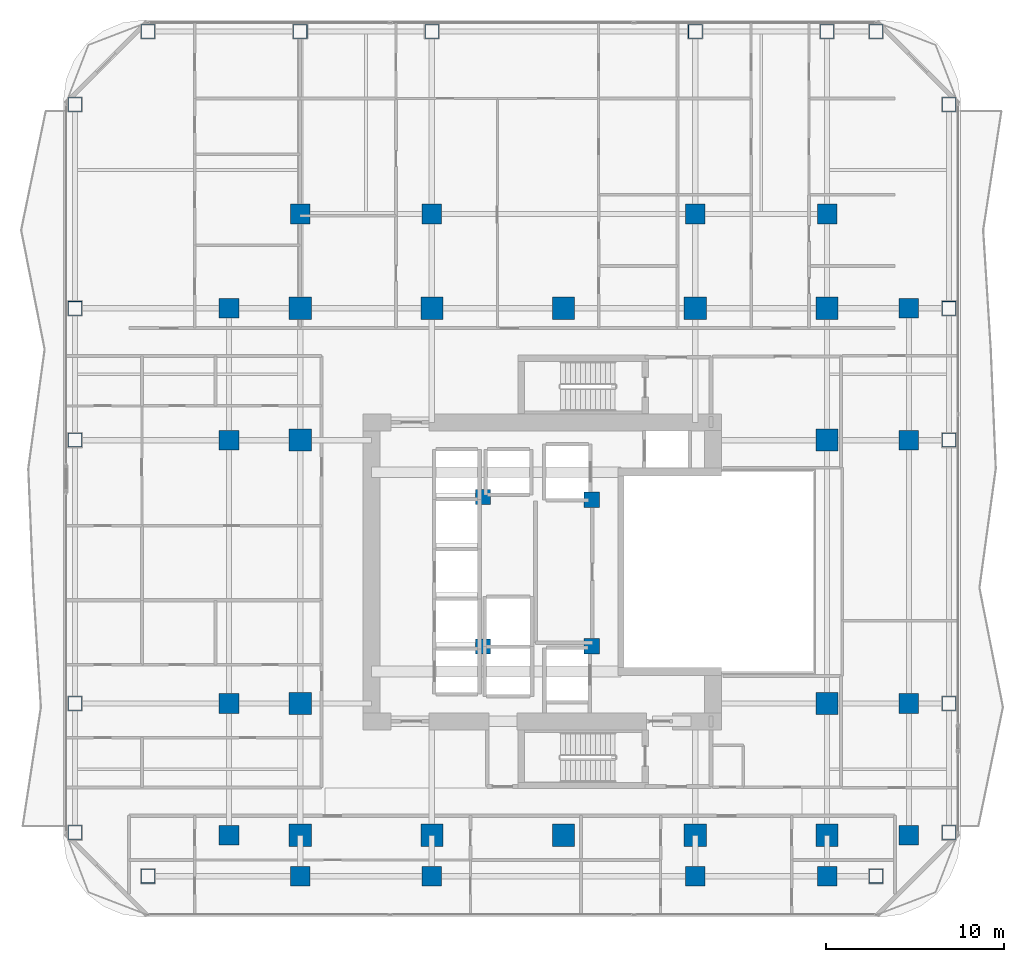
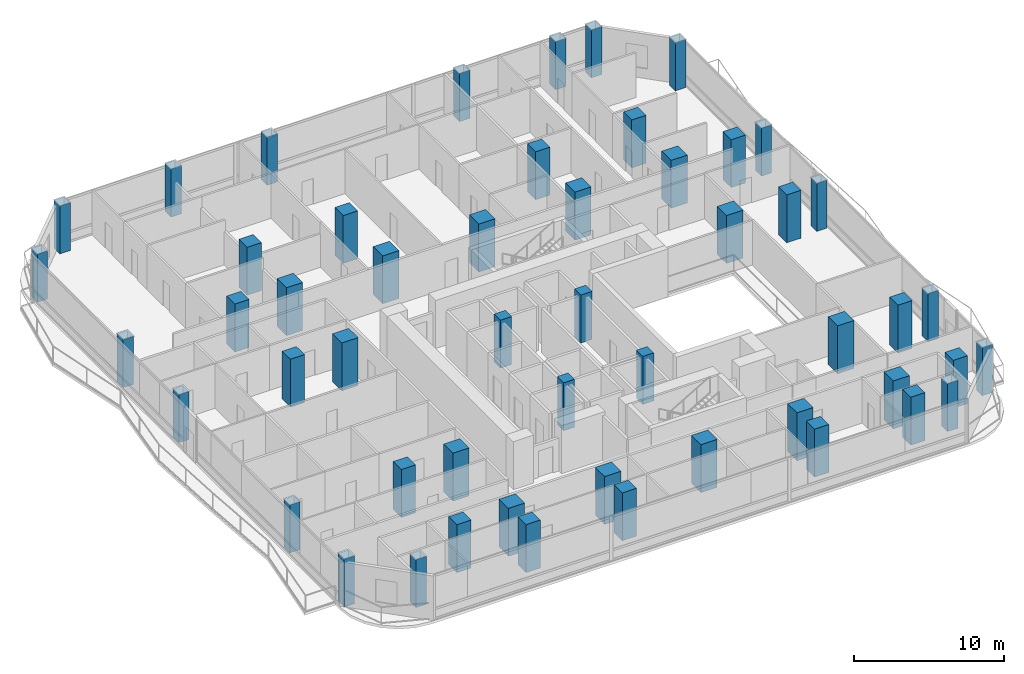
# One storey, part 1 of 28: 52 columns.
"""IFC4 building model written with IfcOpenShell, lengths in metres."""

from ifc_helpers import new_model, si_unit, direction, frame, origin, origin_2d, place, context, subcontext, project, spatial, rectangle, hollow_rectangle, extrude, material, material_profile, profile_set, type_object, element, save


model = new_model("IFC4")

# Units and contexts
model_context = context("Model", 3, precision=1e-05, world=origin(), true_north=direction((0.0, 1.0)))
body_context = subcontext(model_context, "Body", "Model", "MODEL_VIEW")
ifc_project = project(units=[si_unit("LENGTHUNIT", "METRE"), si_unit("AREAUNIT", "SQUARE_METRE"), si_unit("VOLUMEUNIT", "CUBIC_METRE"), si_unit("PLANEANGLEUNIT", "RADIAN"), si_unit("MASSUNIT", "GRAM", prefix="KILO")], contexts=[model_context])

# Site, building, storey
site_placement = place(None, origin())
site = spatial("IfcSite", under=ifc_project, at=site_placement, CompositionType="ELEMENT")
building_placement = place(site_placement, origin())
building = spatial("IfcBuilding", under=site, at=building_placement, Name="Khorvyn Point Tower", CompositionType="ELEMENT")
storey_placement = place(building_placement, frame((0.0, 0.0, 104.699951171875)))
storey = spatial("IfcBuildingStorey", under=building, at=storey_placement, Name="L26", CompositionType="ELEMENT", Elevation=104.699951171875)

# Columns
ifc_material_1 = material(Name="Concrete C40/50", Category="concrete")
ifc_material_profile_1 = material_profile(ifc_material_1, rectangle(XDim=0.85009765625, YDim=0.85009765625, at=origin_2d()))
ifc_profile_set_1 = profile_set([ifc_material_profile_1], Name="Concrete C40/50 RC850x850")
column_type_1 = type_object("IfcColumnType", Name="Concrete C40/50 Column RC850x850", PredefinedType="COLUMN", material=ifc_profile_set_1)
for number, where, z_axis, x_axis, name in (
    (1, (-4.52001953125, -4.199951171875, 0.0), (0.0, 0.0, 1.0), (1.0, 0.0, 0.0), "L26 Crown Core Spine Column 1"),
    (2, (1.580078125, -4.179931640625, 0.0), (0.0, 0.0, 1.0), (1.0, 0.0, 0.0), "L26 Crown Core Spine Column 2"),
    (3, (1.580078125, 4.050048828125, 0.0), (0.0, 0.0, 1.0), (1.0, 0.0, 0.0), "L26 Crown Core Spine Column 3"),
    (4, (-4.52001953125, 4.199951171875, 0.0), (0.0, 0.0, 1.0), (1.0, 0.0, 0.0), "L26 Crown Core Spine Column 4"),
):
    element("IfcColumn", number, at=place(storey_placement, frame(where, z_axis=z_axis, x_axis=x_axis)), inside=storey, type_object=column_type_1, Name=name, PredefinedType="COLUMN", context=body_context, shape_type="SweptSolid", body=[
        extrude(rectangle(XDim=0.85009765625, YDim=0.85009765625, at=origin_2d()), origin(), (0.0, 0.0, 1.0), 3.900146484375),
    ])
ifc_material_2 = material(Name="Concrete C45/55", Category="concrete")
ifc_material_profile_2 = material_profile(ifc_material_2, rectangle(XDim=1.10009765625, YDim=1.10009765625, at=origin_2d()))
ifc_profile_set_2 = profile_set([ifc_material_profile_2], Name="Concrete C45/55 RC1100x1100")
column_type_2 = type_object("IfcColumnType", Name="Concrete C45/55 Column RC1100x1100", PredefinedType="COLUMN", material=ifc_profile_set_2)
for number, where, z_axis, x_axis, name in (
    (5, (-18.800048828125, -14.800048828125, 0.0), (0.0, 0.0, 1.0), (1.0, 0.0, 0.0), "L26 Intermediate Column ICW--14"),
    (6, (-18.800048828125, -7.39990234375, 0.0), (0.0, 0.0, 1.0), (1.0, 0.0, 0.0), "L26 Intermediate Column ICW--7"),
    (7, (-18.800048828125, 7.39990234375, 0.0), (0.0, 0.0, 1.0), (1.0, 0.0, 0.0), "L26 Intermediate Column ICW-7"),
    (8, (-18.800048828125, 14.800048828125, 0.0), (0.0, 0.0, 1.0), (1.0, 0.0, 0.0), "L26 Intermediate Column ICW-14"),
    (9, (19.39990234375, -14.800048828125, 0.0), (0.0, 0.0, 1.0), (1.0, 0.0, 0.0), "L26 Intermediate Column ICE--14"),
    (10, (19.39990234375, -7.39990234375, 0.0), (0.0, 0.0, 1.0), (1.0, 0.0, 0.0), "L26 Intermediate Column ICE--7"),
    (11, (19.39990234375, 7.39990234375, 0.0), (0.0, 0.0, 1.0), (1.0, 0.0, 0.0), "L26 Intermediate Column ICE-7"),
    (12, (19.39990234375, 14.800048828125, 0.0), (0.0, 0.0, 1.0), (1.0, 0.0, 0.0), "L26 Intermediate Column ICE-14"),
    (13, (-14.800048828125, -17.10009765625, 0.0), (0.0, 0.0, 1.0), (1.0, 0.0, 0.0), "L26 Intermediate Column ICS--14"),
    (14, (-7.39990234375, -17.10009765625, 0.0), (0.0, 0.0, 1.0), (1.0, 0.0, 0.0), "L26 Intermediate Column ICS--7"),
    (15, (7.39990234375, -17.10009765625, 0.0), (0.0, 0.0, 1.0), (1.0, 0.0, 0.0), "L26 Intermediate Column ICS-7"),
    (16, (14.800048828125, -17.10009765625, 0.0), (0.0, 0.0, 1.0), (1.0, 0.0, 0.0), "L26 Intermediate Column ICS-14"),
    (17, (-14.800048828125, 20.10009765625, 0.0), (0.0, 0.0, 1.0), (1.0, 0.0, 0.0), "L26 Intermediate Column ICN--14"),
    (18, (-7.39990234375, 20.10009765625, 0.0), (0.0, 0.0, 1.0), (1.0, 0.0, 0.0), "L26 Intermediate Column ICN--7"),
    (19, (7.39990234375, 20.10009765625, 0.0), (0.0, 0.0, 1.0), (1.0, 0.0, 0.0), "L26 Intermediate Column ICN-7"),
    (20, (14.800048828125, 20.10009765625, 0.0), (0.0, 0.0, 1.0), (1.0, 0.0, 0.0), "L26 Intermediate Column ICN-14"),
):
    element("IfcColumn", number, at=place(storey_placement, frame(where, z_axis=z_axis, x_axis=x_axis)), inside=storey, type_object=column_type_2, Name=name, PredefinedType="COLUMN", context=body_context, shape_type="SweptSolid", body=[
        extrude(rectangle(XDim=1.10009765625, YDim=1.10009765625, at=origin_2d()), origin(), (0.0, 0.0, 1.0), 3.900146484375),
    ])
ifc_material_3 = material(Name="Concrete C50/60", Category="concrete")
ifc_material_profile_3 = material_profile(ifc_material_3, rectangle(XDim=1.25, YDim=1.25, at=origin_2d()))
ifc_profile_set_3 = profile_set([ifc_material_profile_3], Name="Concrete C50/60 RC1250x1250")
column_type_3 = type_object("IfcColumnType", Name="Concrete C50/60 Column RC1250x1250", PredefinedType="COLUMN", material=ifc_profile_set_3)
for number, where, z_axis, x_axis, name in (
    (21, (-14.800048828125, -14.800048828125, 0.0), (0.0, 0.0, 1.0), (1.0, 0.0, 0.0), "L26 Mega-Column MC-01"),
    (22, (-7.39990234375, -14.800048828125, 0.0), (0.0, 0.0, 1.0), (1.0, 0.0, 0.0), "L26 Mega-Column MC-02"),
    (23, (0.0, -14.800048828125, 0.0), (0.0, 0.0, 1.0), (1.0, 0.0, 0.0), "L26 Mega-Column MC-03"),
    (24, (7.39990234375, -14.800048828125, 0.0), (0.0, 0.0, 1.0), (1.0, 0.0, 0.0), "L26 Mega-Column MC-04"),
    (25, (14.800048828125, -14.800048828125, 0.0), (0.0, 0.0, 1.0), (1.0, 0.0, 0.0), "L26 Mega-Column MC-05"),
    (26, (-14.800048828125, 14.800048828125, 0.0), (0.0, 0.0, 1.0), (1.0, 0.0, 0.0), "L26 Mega-Column MC-06"),
    (27, (-7.39990234375, 14.800048828125, 0.0), (0.0, 0.0, 1.0), (1.0, 0.0, 0.0), "L26 Mega-Column MC-07"),
    (28, (0.0, 14.800048828125, 0.0), (0.0, 0.0, 1.0), (1.0, 0.0, 0.0), "L26 Mega-Column MC-08"),
    (29, (7.39990234375, 14.800048828125, 0.0), (0.0, 0.0, 1.0), (1.0, 0.0, 0.0), "L26 Mega-Column MC-09"),
    (30, (14.800048828125, 14.800048828125, 0.0), (0.0, 0.0, 1.0), (1.0, 0.0, 0.0), "L26 Mega-Column MC-10"),
    (31, (-14.800048828125, -7.39990234375, 0.0), (0.0, 0.0, 1.0), (1.0, 0.0, 0.0), "L26 Mega-Column MC-11"),
    (32, (-14.800048828125, 7.39990234375, 0.0), (0.0, 0.0, 1.0), (1.0, 0.0, 0.0), "L26 Mega-Column MC-12"),
    (33, (14.800048828125, -7.39990234375, 0.0), (0.0, 0.0, 1.0), (1.0, 0.0, 0.0), "L26 Mega-Column MC-13"),
    (34, (14.800048828125, 7.39990234375, 0.0), (0.0, 0.0, 1.0), (1.0, 0.0, 0.0), "L26 Mega-Column MC-14"),
):
    element("IfcColumn", number, at=place(storey_placement, frame(where, z_axis=z_axis, x_axis=x_axis)), inside=storey, type_object=column_type_3, Name=name, PredefinedType="COLUMN", context=body_context, shape_type="SweptSolid", body=[
        extrude(rectangle(XDim=1.25, YDim=1.25, at=origin_2d()), origin(), (0.0, 0.0, 1.0), 3.900146484375),
    ])
ifc_material_4 = material(Name="Steel S450", Category="steel")
ifc_material_profile_4 = material_profile(ifc_material_4, hollow_rectangle(XDim=0.800048828125, YDim=0.800048828125, WallThickness=0.035888671875, at=origin_2d()))
ifc_profile_set_4 = profile_set([ifc_material_profile_4], Name="Steel S450 BOX800x800x36")
column_type_4 = type_object("IfcColumnType", Name="Steel S450 Structural Column BOX800x800x36", PredefinedType="COLUMN", material=ifc_profile_set_4)
for number, where, z_axis, x_axis, name in (
    (35, (-23.35009765625, -17.10009765625, 0.0), (0.0, 0.0, 1.0), (1.0, 0.0, 0.0), "L26 Perimeter Tube Column TC-01"),
    (36, (17.550048828125, -17.10009765625, 0.0), (0.0, 0.0, 1.0), (1.0, 0.0, 0.0), "L26 Perimeter Tube Column TC-02"),
    (37, (-23.35009765625, 30.35009765625, 0.0), (0.0, 0.0, 1.0), (1.0, 0.0, 0.0), "L26 Perimeter Tube Column TC-03"),
    (38, (17.550048828125, 30.35009765625, 0.0), (0.0, 0.0, 1.0), (1.0, 0.0, 0.0), "L26 Perimeter Tube Column TC-04"),
    (39, (-27.449951171875, -14.64990234375, 0.0), (0.0, 0.0, 1.0), (1.0, 0.0, 0.0), "L26 Perimeter Tube Column TC-05"),
    (40, (-27.449951171875, 26.25, 0.0), (0.0, 0.0, 1.0), (1.0, 0.0, 0.0), "L26 Perimeter Tube Column TC-06"),
    (41, (21.64990234375, -14.64990234375, 0.0), (0.0, 0.0, 1.0), (1.0, 0.0, 0.0), "L26 Perimeter Tube Column TC-07"),
    (42, (21.64990234375, 26.25, 0.0), (0.0, 0.0, 1.0), (1.0, 0.0, 0.0), "L26 Perimeter Tube Column TC-08"),
    (43, (-14.800048828125, 30.35009765625, 0.0), (0.0, 0.0, 1.0), (1.0, 0.0, 0.0), "L26 Perimeter Tube Column TC-09"),
    (44, (-7.39990234375, 30.35009765625, 0.0), (0.0, 0.0, 1.0), (1.0, 0.0, 0.0), "L26 Perimeter Tube Column TC-10"),
    (45, (7.39990234375, 30.35009765625, 0.0), (0.0, 0.0, 1.0), (1.0, 0.0, 0.0), "L26 Perimeter Tube Column TC-11"),
    (46, (14.800048828125, 30.35009765625, 0.0), (0.0, 0.0, 1.0), (1.0, 0.0, 0.0), "L26 Perimeter Tube Column TC-12"),
    (47, (-27.449951171875, -7.39990234375, 0.0), (0.0, 0.0, 1.0), (1.0, 0.0, 0.0), "L26 Perimeter Tube Column TC-13"),
    (48, (21.64990234375, -7.39990234375, 0.0), (0.0, 0.0, 1.0), (1.0, 0.0, 0.0), "L26 Perimeter Tube Column TC-14"),
    (49, (-27.449951171875, 7.39990234375, 0.0), (0.0, 0.0, 1.0), (1.0, 0.0, 0.0), "L26 Perimeter Tube Column TC-15"),
    (50, (21.64990234375, 7.39990234375, 0.0), (0.0, 0.0, 1.0), (1.0, 0.0, 0.0), "L26 Perimeter Tube Column TC-16"),
    (51, (-27.449951171875, 14.800048828125, 0.0), (0.0, 0.0, 1.0), (1.0, 0.0, 0.0), "L26 Perimeter Tube Column TC-17"),
    (52, (21.64990234375, 14.800048828125, 0.0), (0.0, 0.0, 1.0), (1.0, 0.0, 0.0), "L26 Perimeter Tube Column TC-18"),
):
    element("IfcColumn", number, at=place(storey_placement, frame(where, z_axis=z_axis, x_axis=x_axis)), inside=storey, type_object=column_type_4, Name=name, PredefinedType="COLUMN", context=body_context, shape_type="SweptSolid", body=[
        extrude(hollow_rectangle(XDim=0.800048828125, YDim=0.800048828125, WallThickness=0.035888671875, at=origin_2d()), origin(), (0.0, 0.0, 1.0), 3.900146484375),
    ])

save(model, "model.ifc")
